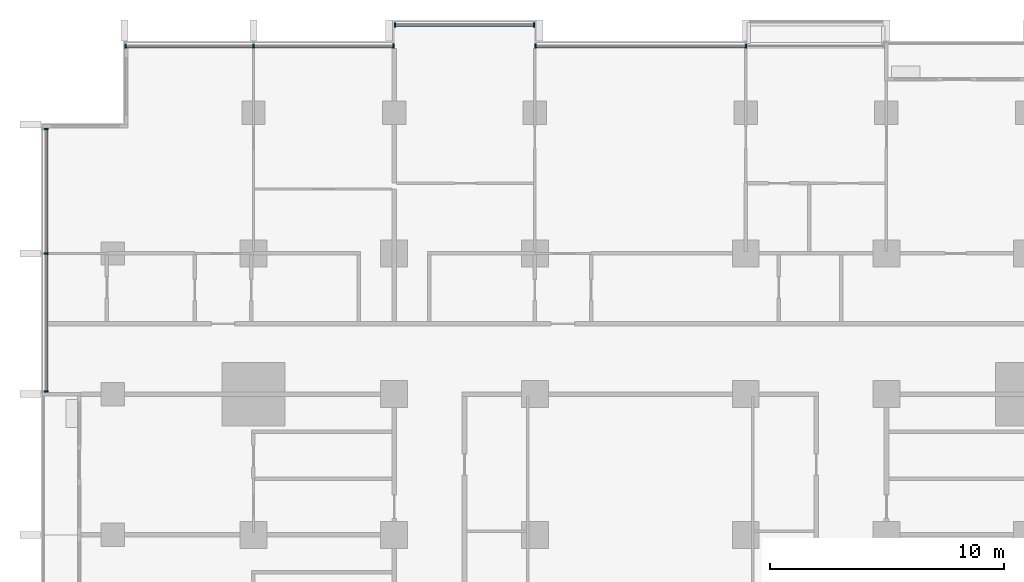
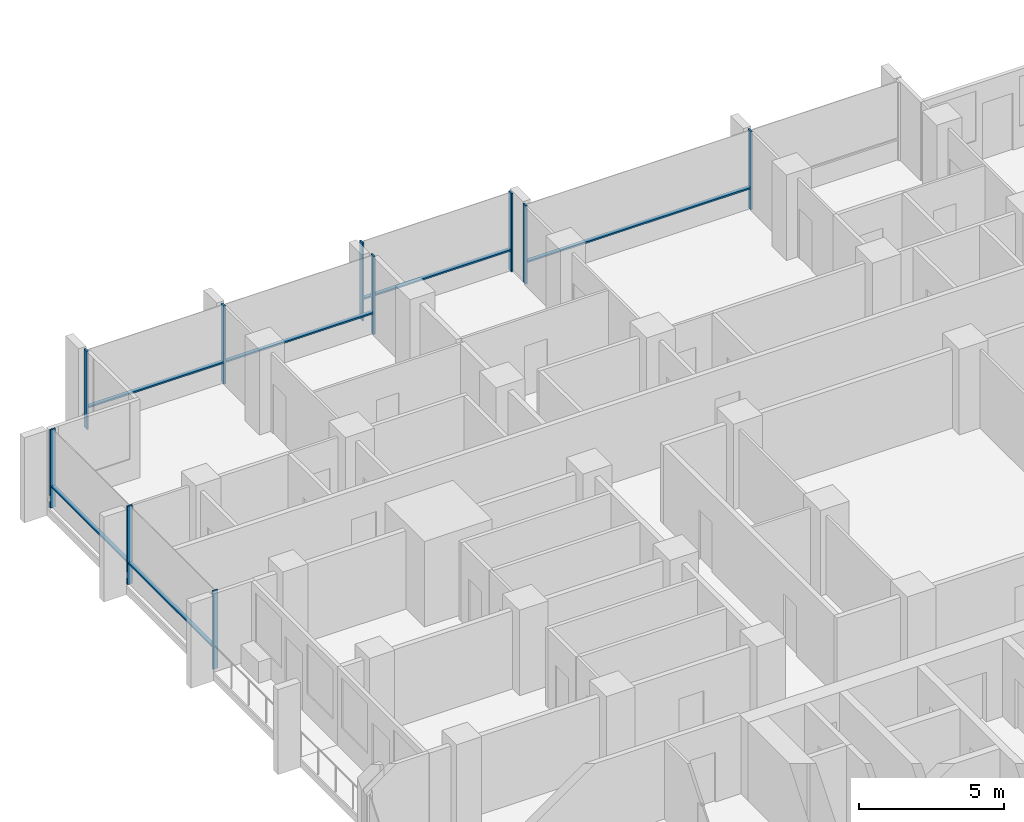
# One storey, part 4 of 17: 16 members, 4 elements without a shape of their own.
"""IFC4 building model written with IfcOpenShell, lengths in metres."""

from ifc_helpers import new_model, si_unit, direction, frame, origin, origin_2d, place, context, subcontext, project, spatial, rectangle, extrude, material, material_profile, profile_set, type_object, element, aggregate, save


model = new_model("IFC4")

# Units and contexts
model_context = context("Model", 3, precision=1e-05, world=origin(), true_north=direction((0.0, 1.0)))
body_context = subcontext(model_context, "Body", "Model", "MODEL_VIEW")
ifc_project = project(units=[si_unit("LENGTHUNIT", "METRE"), si_unit("AREAUNIT", "SQUARE_METRE"), si_unit("VOLUMEUNIT", "CUBIC_METRE"), si_unit("PLANEANGLEUNIT", "RADIAN"), si_unit("MASSUNIT", "GRAM", prefix="KILO")], contexts=[model_context])

# Site, building, storey
site_placement = place(None, origin())
site = spatial("IfcSite", under=ifc_project, at=site_placement, CompositionType="ELEMENT")
building_placement = place(site_placement, origin())
building = spatial("IfcBuilding", under=site, at=building_placement, Name="Finial Court Residences", CompositionType="ELEMENT")
storey_placement = place(building_placement, frame((0.0, 0.0, 102.699951171875)))
storey = spatial("IfcBuildingStorey", under=building, at=storey_placement, Name="L25", CompositionType="ELEMENT", Elevation=102.699951171875)

# Curtain wall, members
ifc_material = material(Name="Bronze anodised aluminium", Category="aluminium")
curtain_wall_type = type_object("IfcCurtainWallType", Name="Unitised curtain wall, lower and middle zones", PredefinedType="NOTDEFINED", material=ifc_material)
curtain_wall_1_placement = place(storey_placement, origin())
curtain_wall_1 = element("IfcCurtainWall", 1, at=curtain_wall_1_placement, inside=storey, type_object=curtain_wall_type, Name="E-L25-CW-N1", PredefinedType="NOTDEFINED")
ifc_material_profile_1 = material_profile(ifc_material, rectangle(XDim=0.199951171875, YDim=0.06494140625, at=origin_2d()), Name="CW1 mullion 65 x 200")
ifc_profile_set_1 = profile_set([ifc_material_profile_1], Name="Bronze anodised aluminium")
member_type_1 = type_object("IfcMemberType", Name="CW1 mullion 65 x 200", PredefinedType="MULLION", material=ifc_profile_set_1)
member_1_placement = place(storey_placement, frame((-21.967529296875, 22.35009765625, 0.0), z_axis=(0.0, 0.0, 1.0), x_axis=(0.0, 1.0, 0.0)))
member_1 = element("IfcMember", 2, at=member_1_placement, type_object=member_type_1, Name="CW1 mullion 1", PredefinedType="MULLION", context=body_context, shape_type="SweptSolid", body=[
    extrude(rectangle(XDim=0.199951171875, YDim=0.06494140625, at=origin_2d()), origin(), (0.0, 0.0, 1.0), 3.300048828125),
])
member_2_placement = place(storey_placement, frame((-16.5, 22.35009765625, 0.0), z_axis=(0.0, 0.0, 1.0), x_axis=(0.0, 1.0, 0.0)))
member_2 = element("IfcMember", 3, at=member_2_placement, type_object=member_type_1, Name="CW1 mullion 2", PredefinedType="MULLION", context=body_context, shape_type="SweptSolid", body=[
    extrude(rectangle(XDim=0.199951171875, YDim=0.06494140625, at=origin_2d()), origin(), (0.0, 0.0, 1.0), 3.300048828125),
])
member_3_placement = place(storey_placement, frame((-10.532470703125, 22.35009765625, 0.0), z_axis=(0.0, 0.0, 1.0), x_axis=(0.0, 1.0, 0.0)))
member_3 = element("IfcMember", 4, at=member_3_placement, type_object=member_type_1, Name="CW1 mullion 3", PredefinedType="MULLION", context=body_context, shape_type="SweptSolid", body=[
    extrude(rectangle(XDim=0.199951171875, YDim=0.06494140625, at=origin_2d()), origin(), (0.0, 0.0, 1.0), 3.300048828125),
])

curtain_wall_2_placement = place(storey_placement, origin())
curtain_wall_2 = element("IfcCurtainWall", 5, at=curtain_wall_2_placement, inside=storey, type_object=curtain_wall_type, Name="E-L25-CW-N2", PredefinedType="NOTDEFINED")
member_4_placement = place(storey_placement, frame((-10.467529296875, 23.25, 0.0), z_axis=(0.0, 0.0, 1.0), x_axis=(0.0, 1.0, 0.0)))
member_4 = element("IfcMember", 6, at=member_4_placement, type_object=member_type_1, Name="CW1 mullion 1", PredefinedType="MULLION", context=body_context, shape_type="SweptSolid", body=[
    extrude(rectangle(XDim=0.199951171875, YDim=0.06494140625, at=origin_2d()), origin(), (0.0, 0.0, 1.0), 3.300048828125),
])
member_5_placement = place(storey_placement, frame((-4.532470703125, 23.25, 0.0), z_axis=(0.0, 0.0, 1.0), x_axis=(0.0, 1.0, 0.0)))
member_5 = element("IfcMember", 7, at=member_5_placement, type_object=member_type_1, Name="CW1 mullion 2", PredefinedType="MULLION", context=body_context, shape_type="SweptSolid", body=[
    extrude(rectangle(XDim=0.199951171875, YDim=0.06494140625, at=origin_2d()), origin(), (0.0, 0.0, 1.0), 3.300048828125),
])

curtain_wall_3_placement = place(storey_placement, origin())
curtain_wall_3 = element("IfcCurtainWall", 8, at=curtain_wall_3_placement, inside=storey, type_object=curtain_wall_type, Name="E-L25-CW-N3", PredefinedType="NOTDEFINED")
member_6_placement = place(storey_placement, frame((-4.467529296875, 22.35009765625, 0.0), z_axis=(0.0, 0.0, 1.0), x_axis=(0.0, 1.0, 0.0)))
member_6 = element("IfcMember", 9, at=member_6_placement, type_object=member_type_1, Name="CW1 mullion 1", PredefinedType="MULLION", context=body_context, shape_type="SweptSolid", body=[
    extrude(rectangle(XDim=0.199951171875, YDim=0.06494140625, at=origin_2d()), origin(), (0.0, 0.0, 1.0), 3.300048828125),
])
member_7_placement = place(storey_placement, frame((4.5, 22.35009765625, 0.0), z_axis=(0.0, 0.0, 1.0), x_axis=(0.0, 1.0, 0.0)))
member_7 = element("IfcMember", 10, at=member_7_placement, type_object=member_type_1, Name="CW1 mullion 2", PredefinedType="MULLION", context=body_context, shape_type="SweptSolid", body=[
    extrude(rectangle(XDim=0.199951171875, YDim=0.06494140625, at=origin_2d()), origin(), (0.0, 0.0, 1.0), 3.300048828125),
])

curtain_wall_4_placement = place(storey_placement, origin())
curtain_wall_4 = element("IfcCurtainWall", 11, at=curtain_wall_4_placement, inside=storey, type_object=curtain_wall_type, Name="E-L25-CW-W13", PredefinedType="NOTDEFINED")
member_8_placement = place(storey_placement, frame((-25.35009765625, 7.607421875, 0.0), z_axis=(0.0, 0.0, 1.0), x_axis=(-1.0, 0.0, 0.0)))
member_8 = element("IfcMember", 12, at=member_8_placement, type_object=member_type_1, Name="CW1 mullion 1", PredefinedType="MULLION", context=body_context, shape_type="SweptSolid", body=[
    extrude(rectangle(XDim=0.199951171875, YDim=0.06494140625, at=origin_2d()), origin(), (0.0, 0.0, 1.0), 3.300048828125),
])
member_9_placement = place(storey_placement, frame((-25.35009765625, 13.5, 0.0), z_axis=(0.0, 0.0, 1.0), x_axis=(-1.0, 0.0, 0.0)))
member_9 = element("IfcMember", 13, at=member_9_placement, type_object=member_type_1, Name="CW1 mullion 2", PredefinedType="MULLION", context=body_context, shape_type="SweptSolid", body=[
    extrude(rectangle(XDim=0.199951171875, YDim=0.06494140625, at=origin_2d()), origin(), (0.0, 0.0, 1.0), 3.300048828125),
])
member_10_placement = place(storey_placement, frame((-25.35009765625, 18.8173828125, 0.0), z_axis=(0.0, 0.0, 1.0), x_axis=(-1.0, 0.0, 0.0)))
member_10 = element("IfcMember", 14, at=member_10_placement, type_object=member_type_1, Name="CW1 mullion 3", PredefinedType="MULLION", context=body_context, shape_type="SweptSolid", body=[
    extrude(rectangle(XDim=0.199951171875, YDim=0.06494140625, at=origin_2d()), origin(), (0.0, 0.0, 1.0), 3.300048828125),
])

# Member
ifc_material_profile_2 = material_profile(ifc_material, rectangle(XDim=0.14990234375, YDim=0.06494140625, at=origin_2d()), Name="CW1 transom 65 x 150")
ifc_profile_set_2 = profile_set([ifc_material_profile_2], Name="Bronze anodised aluminium")
member_type_2 = type_object("IfcMemberType", Name="CW1 transom 65 x 150", PredefinedType="USERDEFINED", material=ifc_profile_set_2)
member_11_placement = place(storey_placement, frame((-21.93505859375, 22.35009765625, 0.900146484375), z_axis=(1.0, 0.0, 0.0), x_axis=(0.0, 1.0, 0.0)))
member_11 = element("IfcMember", 15, at=member_11_placement, type_object=member_type_2, Name="CW1 transom 1.1", ObjectType="TRANSOM", PredefinedType="USERDEFINED", context=body_context, shape_type="SweptSolid", body=[
    extrude(rectangle(XDim=0.14990234375, YDim=0.06494140625, at=origin_2d()), origin(), (0.0, 0.0, 1.0), 5.402587890625),
])

member_12_placement = place(storey_placement, frame((-16.467529296875, 22.35009765625, 0.900146484375), z_axis=(1.0, 0.0, 0.0), x_axis=(0.0, 1.0, 0.0)))
member_12 = element("IfcMember", 16, at=member_12_placement, type_object=member_type_2, Name="CW1 transom 2.1", ObjectType="TRANSOM", PredefinedType="USERDEFINED", context=body_context, shape_type="SweptSolid", body=[
    extrude(rectangle(XDim=0.14990234375, YDim=0.06494140625, at=origin_2d()), origin(), (0.0, 0.0, 1.0), 5.902587890625),
])

aggregate(curtain_wall_1, [member_1, member_2, member_3, member_11, member_12])

member_13_placement = place(storey_placement, frame((-10.43505859375, 23.25, 0.900146484375), z_axis=(1.0, 0.0, 0.0), x_axis=(0.0, 1.0, 0.0)))
member_13 = element("IfcMember", 17, at=member_13_placement, type_object=member_type_2, Name="CW1 transom 1.1", ObjectType="TRANSOM", PredefinedType="USERDEFINED", context=body_context, shape_type="SweptSolid", body=[
    extrude(rectangle(XDim=0.14990234375, YDim=0.06494140625, at=origin_2d()), origin(), (0.0, 0.0, 1.0), 5.8701171875),
])

aggregate(curtain_wall_2, [member_4, member_5, member_13])

member_14_placement = place(storey_placement, frame((-4.43505859375, 22.35009765625, 0.900146484375), z_axis=(1.0, 0.0, 0.0), x_axis=(0.0, 1.0, 0.0)))
member_14 = element("IfcMember", 18, at=member_14_placement, type_object=member_type_2, Name="CW1 transom 1.1", ObjectType="TRANSOM", PredefinedType="USERDEFINED", context=body_context, shape_type="SweptSolid", body=[
    extrude(rectangle(XDim=0.14990234375, YDim=0.06494140625, at=origin_2d()), origin(), (0.0, 0.0, 1.0), 8.902587890625),
])

aggregate(curtain_wall_3, [member_6, member_7, member_14])

member_15_placement = place(storey_placement, frame((-25.35009765625, 7.639892578125, 0.900146484375), z_axis=(0.0, 1.0, 0.0), x_axis=(-1.0, 0.0, 0.0)))
member_15 = element("IfcMember", 19, at=member_15_placement, type_object=member_type_2, Name="CW1 transom 1.1", ObjectType="TRANSOM", PredefinedType="USERDEFINED", context=body_context, shape_type="SweptSolid", body=[
    extrude(rectangle(XDim=0.14990234375, YDim=0.06494140625, at=origin_2d()), origin(), (0.0, 0.0, 1.0), 5.82763671875),
])

member_16_placement = place(storey_placement, frame((-25.35009765625, 13.532470703125, 0.900146484375), z_axis=(0.0, 1.0, 0.0), x_axis=(-1.0, 0.0, 0.0)))
member_16 = element("IfcMember", 20, at=member_16_placement, type_object=member_type_2, Name="CW1 transom 2.1", ObjectType="TRANSOM", PredefinedType="USERDEFINED", context=body_context, shape_type="SweptSolid", body=[
    extrude(rectangle(XDim=0.14990234375, YDim=0.06494140625, at=origin_2d()), origin(), (0.0, 0.0, 1.0), 5.25244140625),
])

aggregate(curtain_wall_4, [member_8, member_9, member_10, member_15, member_16])

save(model, "model.ifc")
